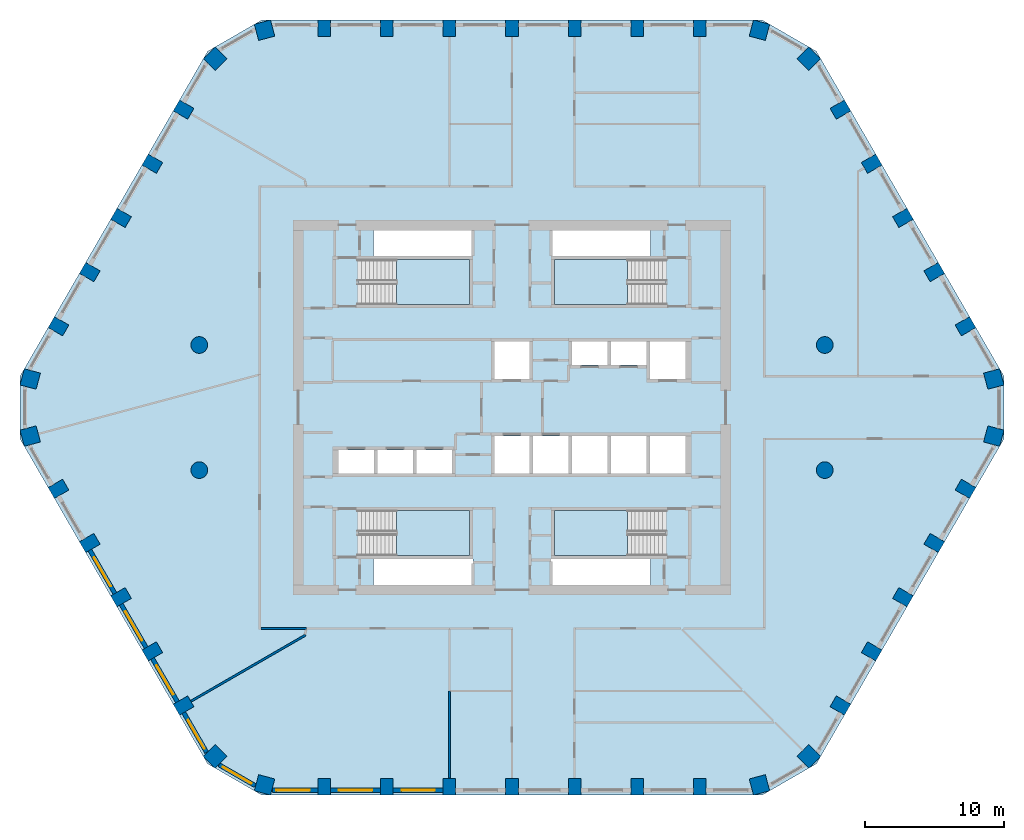
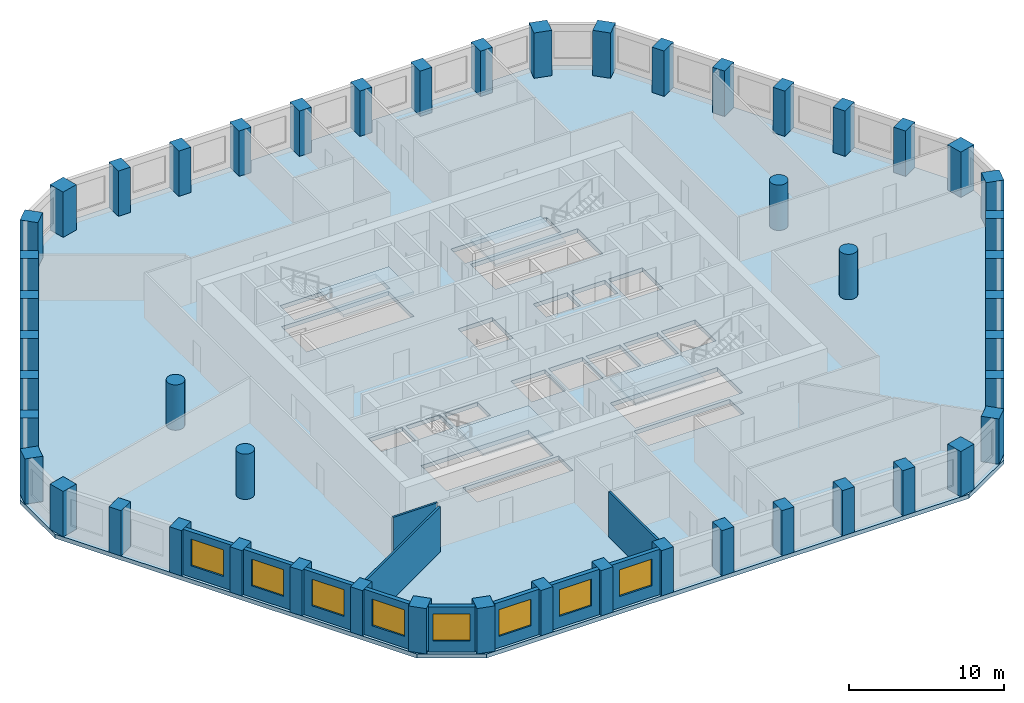
# One storey, part 1 of 9: 50 columns, 11 walls, 8 windows, 5 slabs, 8 openings, 4 elements without a shape of their own.
"""IFC4 building model written with IfcOpenShell, lengths in metres."""

from ifc_helpers import new_model, si_unit, direction, frame, frame_2d, origin, origin_2d, place, context, subcontext, project, spatial, polyline, rectangle, circle, outline, extrude, material, layer, layer_set, material_profile, profile_set, type_object, element, fill, aggregate, save


model = new_model("IFC4")

# Units and contexts
model_context = context("Model", 3, precision=1e-05, world=origin(), true_north=direction((0.0, 1.0)))
body_context = subcontext(model_context, "Body", "Model", "MODEL_VIEW")
ifc_project = project(units=[si_unit("LENGTHUNIT", "METRE"), si_unit("AREAUNIT", "SQUARE_METRE"), si_unit("VOLUMEUNIT", "CUBIC_METRE"), si_unit("PLANEANGLEUNIT", "RADIAN"), si_unit("MASSUNIT", "GRAM", prefix="KILO")], contexts=[model_context])

# Site, building, storey
site_placement = place(None, origin())
site = spatial("IfcSite", under=ifc_project, at=site_placement, CompositionType="ELEMENT")
building_placement = place(site_placement, origin())
building = spatial("IfcBuilding", under=site, at=building_placement, Name="Dhurran Vertical Campus", CompositionType="ELEMENT")
storey_placement = place(building_placement, frame((0.0, 0.0, 167.699951171875)))
storey = spatial("IfcBuildingStorey", under=building, at=storey_placement, Name="L41", CompositionType="ELEMENT", Elevation=167.699951171875)

# Columns
ifc_material_1 = material(Name="Concrete C60/75", Category="concrete")
ifc_material_profile_1 = material_profile(ifc_material_1, rectangle(XDim=1.199951171875, YDim=1.199951171875, at=origin_2d()), Name="RC 1200x1200")
ifc_profile_set_1 = profile_set([ifc_material_profile_1], Name="Concrete C60/75")
column_type_1 = type_object("IfcColumnType", Name="FR COL RC 1200x1200 C60/75", PredefinedType="COLUMN", material=ifc_profile_set_1)
for number, where, z_axis, x_axis, name in (
    (1, (-17.802978515625, -27.147705078125, 0.0), (0.0, 0.0, 1.0), (0.965925826289, -0.258819045103, 0.0), "Perimeter pier PP3.00"),
    (2, (17.802978515625, -27.147705078125, 0.0), (0.0, 0.0, 1.0), (0.965925826289, 0.258819045103, 0.0), "Perimeter pier PP3.08"),
    (3, (21.359130859375, -25.0947265625, 0.0), (0.0, 0.0, 1.0), (0.707106781187, 0.707106781187, 0.0), "Perimeter pier PP3.09"),
    (4, (34.662353515625, -2.052978515625, 0.0), (0.0, 0.0, 1.0), (0.258819045103, 0.965925826289, 0.0), "Perimeter pier PP3.15"),
    (5, (34.662353515625, 2.052978515625, 0.0), (0.0, 0.0, 1.0), (-0.258819045103, 0.965925826289, 0.0), "Perimeter pier PP3.16"),
    (6, (21.359130859375, 25.0947265625, 0.0), (0.0, 0.0, 1.0), (-0.707106781187, 0.707106781187, 0.0), "Perimeter pier PP3.22"),
    (7, (17.802978515625, 27.147705078125, 0.0), (0.0, 0.0, 1.0), (-0.965925826289, 0.258819045103, 0.0), "Perimeter pier PP3.23"),
    (8, (-17.802978515625, 27.147705078125, 0.0), (0.0, 0.0, 1.0), (-0.965925826289, -0.258819045103, 0.0), "Perimeter pier PP3.31"),
    (9, (-21.359130859375, 25.0947265625, 0.0), (0.0, 0.0, 1.0), (-0.707106781187, -0.707106781187, 0.0), "Perimeter pier PP3.32"),
    (10, (-34.662353515625, 2.052978515625, 0.0), (0.0, 0.0, 1.0), (-0.258819045103, -0.965925826289, 0.0), "Perimeter pier PP3.38"),
    (11, (-34.662353515625, -2.052978515625, 0.0), (0.0, 0.0, 1.0), (0.258819045103, -0.965925826289, 0.0), "Perimeter pier PP3.39"),
    (12, (-21.359130859375, -25.0947265625, 0.0), (0.0, 0.0, 1.0), (0.707106781187, -0.707106781187, 0.0), "Perimeter pier PP3.45"),
):
    element("IfcColumn", number, at=place(storey_placement, frame(where, z_axis=z_axis, x_axis=x_axis)), inside=storey, type_object=column_type_1, Name=name, PredefinedType="COLUMN", context=body_context, shape_type="SweptSolid", body=[
        extrude(rectangle(XDim=1.199951171875, YDim=1.199951171875, at=origin_2d()), origin(), (0.0, 0.0, 1.0), 3.574951171875),
    ])
ifc_material_2 = material(Name="Concrete C60/75", Category="concrete")
ifc_material_profile_2 = material_profile(ifc_material_2, rectangle(XDim=0.89990234375, YDim=1.199951171875, at=origin_2d()), Name="RC 900x1200")
ifc_profile_set_2 = profile_set([ifc_material_profile_2], Name="Concrete C60/75")
column_type_2 = type_object("IfcColumnType", Name="FR COL RC 900x1200 C60/75", PredefinedType="COLUMN", material=ifc_profile_set_2)
for number, where, z_axis, x_axis, name in (
    (13, (-13.5, -27.28271484375, 0.0), (0.0, 0.0, 1.0), (1.0, 0.0, 0.0), "Perimeter pier PP3.01"),
    (14, (-9.0, -27.28271484375, 0.0), (0.0, 0.0, 1.0), (1.0, 0.0, 0.0), "Perimeter pier PP3.02"),
    (15, (-4.5, -27.28271484375, 0.0), (0.0, 0.0, 1.0), (1.0, 0.0, 0.0), "Perimeter pier PP3.03"),
    (16, (0.0, -27.28271484375, 0.0), (0.0, 0.0, 1.0), (1.0, 0.0, 0.0), "Perimeter pier PP3.04"),
    (17, (4.5, -27.28271484375, 0.0), (0.0, 0.0, 1.0), (1.0, 0.0, 0.0), "Perimeter pier PP3.05"),
    (18, (9.0, -27.28271484375, 0.0), (0.0, 0.0, 1.0), (1.0, 0.0, 0.0), "Perimeter pier PP3.06"),
    (19, (13.5, -27.28271484375, 0.0), (0.0, 0.0, 1.0), (1.0, 0.0, 0.0), "Perimeter pier PP3.07"),
    (20, (23.62744140625, -21.435546875, 0.0), (0.0, 0.0, 1.0), (0.5, 0.866025403784, 0.0), "Perimeter pier PP3.10"),
    (21, (25.87744140625, -17.53857421875, 0.0), (0.0, 0.0, 1.0), (0.5, 0.866025403784, 0.0), "Perimeter pier PP3.11"),
    (22, (28.12744140625, -13.641357421875, 0.0), (0.0, 0.0, 1.0), (0.5, 0.866025403784, 0.0), "Perimeter pier PP3.12"),
    (23, (30.37744140625, -9.744140625, 0.0), (0.0, 0.0, 1.0), (0.5, 0.866025403784, 0.0), "Perimeter pier PP3.13"),
    (24, (32.62744140625, -5.84716796875, 0.0), (0.0, 0.0, 1.0), (0.5, 0.866025403784, 0.0), "Perimeter pier PP3.14"),
    (25, (32.62744140625, 5.84716796875, 0.0), (0.0, 0.0, 1.0), (-0.5, 0.866025403784, 0.0), "Perimeter pier PP3.17"),
    (26, (30.37744140625, 9.744140625, 0.0), (0.0, 0.0, 1.0), (-0.5, 0.866025403784, 0.0), "Perimeter pier PP3.18"),
    (27, (28.12744140625, 13.641357421875, 0.0), (0.0, 0.0, 1.0), (-0.5, 0.866025403784, 0.0), "Perimeter pier PP3.19"),
    (28, (25.87744140625, 17.53857421875, 0.0), (0.0, 0.0, 1.0), (-0.5, 0.866025403784, 0.0), "Perimeter pier PP3.20"),
    (29, (23.62744140625, 21.435546875, 0.0), (0.0, 0.0, 1.0), (-0.5, 0.866025403784, 0.0), "Perimeter pier PP3.21"),
    (30, (13.5, 27.28271484375, 0.0), (0.0, 0.0, 1.0), (-1.0, 0.0, 0.0), "Perimeter pier PP3.24"),
    (31, (9.0, 27.28271484375, 0.0), (0.0, 0.0, 1.0), (-1.0, 0.0, 0.0), "Perimeter pier PP3.25"),
    (32, (4.5, 27.28271484375, 0.0), (0.0, 0.0, 1.0), (-1.0, 0.0, 0.0), "Perimeter pier PP3.26"),
    (33, (0.0, 27.28271484375, 0.0), (0.0, 0.0, 1.0), (-1.0, 0.0, 0.0), "Perimeter pier PP3.27"),
    (34, (-4.5, 27.28271484375, 0.0), (0.0, 0.0, 1.0), (-1.0, 0.0, 0.0), "Perimeter pier PP3.28"),
    (35, (-9.0, 27.28271484375, 0.0), (0.0, 0.0, 1.0), (-1.0, 0.0, 0.0), "Perimeter pier PP3.29"),
    (36, (-13.5, 27.28271484375, 0.0), (0.0, 0.0, 1.0), (-1.0, 0.0, 0.0), "Perimeter pier PP3.30"),
    (37, (-23.62744140625, 21.435546875, 0.0), (0.0, 0.0, 1.0), (-0.5, -0.866025403784, 0.0), "Perimeter pier PP3.33"),
    (38, (-25.87744140625, 17.53857421875, 0.0), (0.0, 0.0, 1.0), (-0.5, -0.866025403784, 0.0), "Perimeter pier PP3.34"),
    (39, (-28.12744140625, 13.641357421875, 0.0), (0.0, 0.0, 1.0), (-0.5, -0.866025403784, 0.0), "Perimeter pier PP3.35"),
    (40, (-30.37744140625, 9.744140625, 0.0), (0.0, 0.0, 1.0), (-0.5, -0.866025403784, 0.0), "Perimeter pier PP3.36"),
    (41, (-32.62744140625, 5.84716796875, 0.0), (0.0, 0.0, 1.0), (-0.5, -0.866025403784, 0.0), "Perimeter pier PP3.37"),
    (42, (-32.62744140625, -5.84716796875, 0.0), (0.0, 0.0, 1.0), (0.5, -0.866025403784, 0.0), "Perimeter pier PP3.40"),
    (43, (-30.37744140625, -9.744140625, 0.0), (0.0, 0.0, 1.0), (0.5, -0.866025403784, 0.0), "Perimeter pier PP3.41"),
    (44, (-28.12744140625, -13.641357421875, 0.0), (0.0, 0.0, 1.0), (0.5, -0.866025403784, 0.0), "Perimeter pier PP3.42"),
    (45, (-25.87744140625, -17.53857421875, 0.0), (0.0, 0.0, 1.0), (0.5, -0.866025403784, 0.0), "Perimeter pier PP3.43"),
    (46, (-23.62744140625, -21.435546875, 0.0), (0.0, 0.0, 1.0), (0.5, -0.866025403784, 0.0), "Perimeter pier PP3.44"),
):
    element("IfcColumn", number, at=place(storey_placement, frame(where, z_axis=z_axis, x_axis=x_axis)), inside=storey, type_object=column_type_2, Name=name, PredefinedType="COLUMN", context=body_context, shape_type="SweptSolid", body=[
        extrude(rectangle(XDim=0.89990234375, YDim=1.199951171875, at=origin_2d()), origin(), (0.0, 0.0, 1.0), 3.574951171875),
    ])
ifc_material_3 = material(Name="Concrete C60/75", Category="concrete")
ifc_material_profile_3 = material_profile(ifc_material_3, circle(Radius=0.60009765625, at=origin_2d()), Name="RCC D1200")
ifc_profile_set_3 = profile_set([ifc_material_profile_3], Name="Concrete C60/75")
column_type_3 = type_object("IfcColumnType", Name="FR COL RCC D1200 C60/75", PredefinedType="COLUMN", material=ifc_profile_set_3)
for number, where, z_axis, x_axis, name in (
    (47, (-22.5, -4.5, 0.0), (0.0, 0.0, 1.0), (1.0, 0.0, 0.0), "Inner column IC3-D5"),
    (48, (-22.5, 4.5, 0.0), (0.0, 0.0, 1.0), (1.0, 0.0, 0.0), "Inner column IC3-D6"),
    (49, (22.5, -4.5, 0.0), (0.0, 0.0, 1.0), (1.0, 0.0, 0.0), "Inner column IC3-J5"),
    (50, (22.5, 4.5, 0.0), (0.0, 0.0, 1.0), (1.0, 0.0, 0.0), "Inner column IC3-J6"),
):
    element("IfcColumn", number, at=place(storey_placement, frame(where, z_axis=z_axis, x_axis=x_axis)), inside=storey, type_object=column_type_3, Name=name, PredefinedType="COLUMN", context=body_context, shape_type="SweptSolid", body=[
        extrude(circle(Radius=0.60009765625, at=origin_2d()), origin(), (0.0, 0.0, 1.0), 3.574951171875),
    ])

# Slab
ifc_material_4 = material(Name="Concrete C40/50", Category="concrete")
ifc_layer_1 = layer(ifc_material_4, 0.324951171875)
ifc_layer_set_1 = layer_set([ifc_layer_1], Name="Concrete C40/50")
slab_type_1 = type_object("IfcSlabType", Name="FR POST-TENSIONED FLAT SLAB 325", PredefinedType="FLOOR", material=ifc_layer_set_1)
slab_1_placement = place(storey_placement, frame((0.0, 0.0, -0.324951171875)))
element("IfcSlab", 51, at=slab_1_placement, inside=storey, type_object=slab_type_1, Name="Floor slab L41", PredefinedType="FLOOR", context=body_context, shape_type="SweptSolid", body=[
    extrude(outline(polyline([(-18.0, -27.8828125), (18.0, -27.8828125), (21.897216796875, -25.6328125), (35.397216796875, -2.25), (35.397216796875, 2.25), (21.897216796875, 25.6328125), (18.0, 27.8828125), (-18.0, 27.8828125), (-21.897216796875, 25.6328125), (-35.397216796875, 2.25), (-35.397216796875, -2.25), (-21.897216796875, -25.6328125), (-18.0, -27.8828125)]), holes=[polyline([(-1.27490234375, 2.050048828125), (1.27490234375, 2.050048828125), (1.27490234375, 4.75), (-1.27490234375, 4.75), (-1.27490234375, 2.050048828125)]), polyline([(9.925048828125, 2.050048828125), (12.47509765625, 2.050048828125), (12.47509765625, 4.75), (9.925048828125, 4.75), (9.925048828125, 2.050048828125)]), polyline([(-1.27490234375, -4.75), (1.27490234375, -4.75), (1.27490234375, -2.050048828125), (-1.27490234375, -2.050048828125), (-1.27490234375, -4.75)]), polyline([(1.52490234375, -4.75), (4.074951171875, -4.75), (4.074951171875, -2.050048828125), (1.52490234375, -2.050048828125), (1.52490234375, -4.75)]), polyline([(4.324951171875, -4.75), (6.875, -4.75), (6.875, -2.050048828125), (4.324951171875, -2.050048828125), (4.324951171875, -4.75)]), polyline([(7.125, -4.75), (9.675048828125, -4.75), (9.675048828125, -2.050048828125), (7.125, -2.050048828125), (7.125, -4.75)]), polyline([(9.925048828125, -4.75), (12.47509765625, -4.75), (12.47509765625, -2.050048828125), (9.925048828125, -2.050048828125), (9.925048828125, -4.75)]), polyline([(4.324951171875, 3.050048828125), (6.875, 3.050048828125), (6.875, 4.75), (4.324951171875, 4.75), (4.324951171875, 3.050048828125)]), polyline([(7.125, 3.050048828125), (9.675048828125, 3.050048828125), (9.675048828125, 4.75), (7.125, 4.75), (7.125, 3.050048828125)]), polyline([(-12.47509765625, -4.75), (-9.925048828125, -4.75), (-9.925048828125, -3.050048828125), (-12.47509765625, -3.050048828125), (-12.47509765625, -4.75)]), polyline([(-9.675048828125, -4.75), (-7.125, -4.75), (-7.125, -3.050048828125), (-9.675048828125, -3.050048828125), (-9.675048828125, -4.75)]), polyline([(-6.875, -4.75), (-4.324951171875, -4.75), (-4.324951171875, -3.050048828125), (-6.875, -3.050048828125), (-6.875, -4.75)]), polyline([(-11.050048828125, 7.39990234375), (-3.050048828125, 7.39990234375), (-3.050048828125, 10.64990234375), (-11.050048828125, 10.64990234375), (-11.050048828125, 7.39990234375)]), polyline([(3.050048828125, 7.39990234375), (11.050048828125, 7.39990234375), (11.050048828125, 10.64990234375), (3.050048828125, 10.64990234375), (3.050048828125, 7.39990234375)]), polyline([(-11.050048828125, -10.64990234375), (-3.050048828125, -10.64990234375), (-3.050048828125, -7.39990234375), (-11.050048828125, -7.39990234375), (-11.050048828125, -10.64990234375)]), polyline([(3.050048828125, -10.64990234375), (11.050048828125, -10.64990234375), (11.050048828125, -7.39990234375), (3.050048828125, -7.39990234375), (3.050048828125, -10.64990234375)]), polyline([(-9.949951171875, 10.89990234375), (-9.949951171875, 12.75), (-2.800048828125, 12.75), (-2.800048828125, 10.89990234375), (-9.949951171875, 10.89990234375)]), polyline([(9.949951171875, 12.75), (9.949951171875, 10.89990234375), (2.800048828125, 10.89990234375), (2.800048828125, 12.75), (9.949951171875, 12.75)]), polyline([(-9.949951171875, -12.75), (-9.949951171875, -10.89990234375), (-2.800048828125, -10.89990234375), (-2.800048828125, -12.75), (-9.949951171875, -12.75)]), polyline([(9.949951171875, -10.89990234375), (9.949951171875, -12.75), (2.800048828125, -12.75), (2.800048828125, -10.89990234375), (9.949951171875, -10.89990234375)])]), origin(), (0.0, 0.0, 1.0), 0.324951171875),
])

# Stair, slab
ifc_material_5 = material(Name="Concrete C40/50", Category="concrete")
stair_type = type_object("IfcStairType", Name="co-ST-CORE", PredefinedType="HALF_TURN_STAIR", material=ifc_material_5)
stair_1_placement = place(storey_placement, origin())
stair_1 = element("IfcStair", 52, at=stair_1_placement, inside=storey, type_object=stair_type, Name="L41 Protected exit stair ST1", PredefinedType="HALF_TURN_STAIR")
ifc_material_6 = material(Name="Concrete C40/50", Category="concrete")
ifc_layer_2 = layer(ifc_material_6, 0.199951171875)
ifc_layer_set_2 = layer_set([ifc_layer_2], Name="Concrete C40/50")
slab_type_2 = type_object("IfcSlabType", Name="co-SL-LANDING", PredefinedType="LANDING", material=ifc_layer_set_2)
slab_2_placement = place(storey_placement, frame((0.0, 0.0, 1.75)))
slab_2 = element("IfcSlab", 53, at=slab_2_placement, type_object=slab_type_2, Name="ST1 landing 1", PredefinedType="LANDING", context=body_context, shape_type="SweptSolid", body=[
    extrude(outline(polyline([(-8.300048828125, 7.39990234375), (-3.050048828125, 7.39990234375), (-3.050048828125, 10.64990234375), (-8.300048828125, 10.64990234375), (-8.300048828125, 7.39990234375)])), origin(), (0.0, 0.0, 1.0), 0.199951171875),
])
aggregate(stair_1, [slab_2])

stair_2_placement = place(storey_placement, origin())
stair_2 = element("IfcStair", 54, at=stair_2_placement, inside=storey, type_object=stair_type, Name="L41 Protected exit stair ST2", PredefinedType="HALF_TURN_STAIR")
slab_3_placement = place(storey_placement, frame((0.0, 0.0, 1.75)))
slab_3 = element("IfcSlab", 55, at=slab_3_placement, type_object=slab_type_2, Name="ST2 landing 1", PredefinedType="LANDING", context=body_context, shape_type="SweptSolid", body=[
    extrude(outline(polyline([(8.300048828125, 10.64990234375), (3.050048828125, 10.64990234375), (3.050048828125, 7.39990234375), (8.300048828125, 7.39990234375), (8.300048828125, 10.64990234375)])), origin(), (0.0, 0.0, 1.0), 0.199951171875),
])
aggregate(stair_2, [slab_3])

stair_3_placement = place(storey_placement, origin())
stair_3 = element("IfcStair", 56, at=stair_3_placement, inside=storey, type_object=stair_type, Name="L41 Protected exit stair ST3", PredefinedType="HALF_TURN_STAIR")
slab_4_placement = place(storey_placement, frame((0.0, 0.0, 1.75)))
slab_4 = element("IfcSlab", 57, at=slab_4_placement, type_object=slab_type_2, Name="ST3 landing 1", PredefinedType="LANDING", context=body_context, shape_type="SweptSolid", body=[
    extrude(outline(polyline([(-8.300048828125, -10.64990234375), (-3.050048828125, -10.64990234375), (-3.050048828125, -7.39990234375), (-8.300048828125, -7.39990234375), (-8.300048828125, -10.64990234375)])), origin(), (0.0, 0.0, 1.0), 0.199951171875),
])
aggregate(stair_3, [slab_4])

stair_4_placement = place(storey_placement, origin())
stair_4 = element("IfcStair", 58, at=stair_4_placement, inside=storey, type_object=stair_type, Name="L41 Protected exit stair ST4", PredefinedType="HALF_TURN_STAIR")
slab_5_placement = place(storey_placement, frame((0.0, 0.0, 1.75)))
slab_5 = element("IfcSlab", 59, at=slab_5_placement, type_object=slab_type_2, Name="ST4 landing 1", PredefinedType="LANDING", context=body_context, shape_type="SweptSolid", body=[
    extrude(outline(polyline([(8.300048828125, -7.39990234375), (3.050048828125, -7.39990234375), (3.050048828125, -10.64990234375), (8.300048828125, -10.64990234375), (8.300048828125, -7.39990234375)])), origin(), (0.0, 0.0, 1.0), 0.199951171875),
])
aggregate(stair_4, [slab_5])

# Wall, opening, window
ifc_material_7 = material(Name="Precast concrete C50/60", Category="concrete")
ifc_layer_3 = layer(ifc_material_7, 0.300048828125)
ifc_layer_set_3 = layer_set([ifc_layer_3], Name="Precast concrete C50/60")
wall_type_1 = type_object("IfcWallType", Name="Precast spandrel wall 300", PredefinedType="SOLIDWALL", material=ifc_layer_set_3)
wall_1_placement = place(storey_placement, frame((-17.24462890625, -27.53271484375, 0.0), z_axis=(0.0, 0.0, 1.0), x_axis=(1.0, 0.0, 0.0)))
wall_1 = element("IfcWall", 60, at=wall_1_placement, inside=storey, type_object=wall_type_1, Name="EW1 L41.00", PredefinedType="SOLIDWALL", context=body_context, shape_type="SweptSolid", body=[
    extrude(rectangle(XDim=3.294189453125, YDim=0.300048828125, at=frame_2d((1.64697265625, 0.0))), origin(), (0.0, 0.0, 1.0), 3.574951171875),
])
opening_1_placement = place(wall_1_placement, frame((0.294677734375, 0.0, 0.89990234375)))
opening_1 = element("IfcOpeningElement", 61, at=opening_1_placement, cuts=wall_1, Name="Opening WT1", PredefinedType="OPENING", context=body_context, shape_type="SweptSolid", body=[
    extrude(rectangle(XDim=2.39990234375, YDim=2.10009765625, at=frame_2d((1.199951171875, 1.050048828125))), frame((0.0, 0.159912109375, 0.0), z_axis=(0.0, -1.0, 0.0), x_axis=(1.0, 0.0, 0.0)), (0.0, 0.0, 1.0), 0.320068359375),
])
ifc_material_8 = material(Name="Aluminium frame with solar-control glass", Category="aluminium")
window_type = type_object("IfcWindowType", Name="Punched window 2400 x 2100", PartitioningType="SINGLE_PANEL", PredefinedType="WINDOW", material=ifc_material_8)
window_1_placement = place(opening_1_placement, origin())
window_1 = element("IfcWindow", 62, at=window_1_placement, inside=storey, type_object=window_type, Name="WT1 L41.00", OverallHeight=2.10009765625, OverallWidth=2.39990234375, PartitioningType="SINGLE_PANEL", PredefinedType="WINDOW", context=body_context, shape_type="SweptSolid", body=[
    extrude(rectangle(XDim=2.39990234375, YDim=2.10009765625, at=frame_2d((1.199951171875, 1.050048828125))), frame((0.0, 0.030029296875, 0.0), z_axis=(0.0, -1.0, 0.0), x_axis=(1.0, 0.0, 0.0)), (0.0, 0.0, 1.0), 0.06005859375),
])
fill(opening_1, window_1)

wall_2_placement = place(storey_placement, frame((-13.049560546875, -27.53271484375, 0.0), z_axis=(0.0, 0.0, 1.0), x_axis=(1.0, 0.0, 0.0)))
wall_2 = element("IfcWall", 63, at=wall_2_placement, inside=storey, type_object=wall_type_1, Name="EW1 L41.01", PredefinedType="SOLIDWALL", context=body_context, shape_type="SweptSolid", body=[
    extrude(rectangle(XDim=3.59912109375, YDim=0.300048828125, at=frame_2d((1.799560546875, 0.0))), origin(), (0.0, 0.0, 1.0), 3.574951171875),
])
opening_2_placement = place(wall_2_placement, frame((0.599609375, 0.0, 0.89990234375)))
opening_2 = element("IfcOpeningElement", 64, at=opening_2_placement, cuts=wall_2, Name="Opening WT1", PredefinedType="OPENING", context=body_context, shape_type="SweptSolid", body=[
    extrude(rectangle(XDim=2.39990234375, YDim=2.10009765625, at=frame_2d((1.199951171875, 1.050048828125))), frame((0.0, 0.159912109375, 0.0), z_axis=(0.0, -1.0, 0.0), x_axis=(1.0, 0.0, 0.0)), (0.0, 0.0, 1.0), 0.320068359375),
])
window_2_placement = place(opening_2_placement, origin())
window_2 = element("IfcWindow", 65, at=window_2_placement, inside=storey, type_object=window_type, Name="WT1 L41.01", OverallHeight=2.10009765625, OverallWidth=2.39990234375, PartitioningType="SINGLE_PANEL", PredefinedType="WINDOW", context=body_context, shape_type="SweptSolid", body=[
    extrude(rectangle(XDim=2.39990234375, YDim=2.10009765625, at=frame_2d((1.199951171875, 1.050048828125))), frame((0.0, 0.030029296875, 0.0), z_axis=(0.0, -1.0, 0.0), x_axis=(1.0, 0.0, 0.0)), (0.0, 0.0, 1.0), 0.06005859375),
])
fill(opening_2, window_2)

wall_3_placement = place(storey_placement, frame((-8.549560546875, -27.53271484375, 0.0), z_axis=(0.0, 0.0, 1.0), x_axis=(1.0, 0.0, 0.0)))
wall_3 = element("IfcWall", 66, at=wall_3_placement, inside=storey, type_object=wall_type_1, Name="EW1 L41.02", PredefinedType="SOLIDWALL", context=body_context, shape_type="SweptSolid", body=[
    extrude(rectangle(XDim=3.59912109375, YDim=0.300048828125, at=frame_2d((1.799560546875, 0.0))), origin(), (0.0, 0.0, 1.0), 3.574951171875),
])
opening_3_placement = place(wall_3_placement, frame((0.599609375, 0.0, 0.89990234375)))
opening_3 = element("IfcOpeningElement", 67, at=opening_3_placement, cuts=wall_3, Name="Opening WT1", PredefinedType="OPENING", context=body_context, shape_type="SweptSolid", body=[
    extrude(rectangle(XDim=2.39990234375, YDim=2.10009765625, at=frame_2d((1.199951171875, 1.050048828125))), frame((0.0, 0.159912109375, 0.0), z_axis=(0.0, -1.0, 0.0), x_axis=(1.0, 0.0, 0.0)), (0.0, 0.0, 1.0), 0.320068359375),
])
window_3_placement = place(opening_3_placement, origin())
window_3 = element("IfcWindow", 68, at=window_3_placement, inside=storey, type_object=window_type, Name="WT1 L41.02", OverallHeight=2.10009765625, OverallWidth=2.39990234375, PartitioningType="SINGLE_PANEL", PredefinedType="WINDOW", context=body_context, shape_type="SweptSolid", body=[
    extrude(rectangle(XDim=2.39990234375, YDim=2.10009765625, at=frame_2d((1.199951171875, 1.050048828125))), frame((0.0, 0.030029296875, 0.0), z_axis=(0.0, -1.0, 0.0), x_axis=(1.0, 0.0, 0.0)), (0.0, 0.0, 1.0), 0.06005859375),
])
fill(opening_3, window_3)

wall_4_placement = place(storey_placement, frame((-30.368896484375, -10.259521484375, 0.0), z_axis=(0.0, 0.0, 1.0), x_axis=(0.500027802648, -0.866009351323, 0.0)))
wall_4 = element("IfcWall", 69, at=wall_4_placement, inside=storey, type_object=wall_type_1, Name="EW1 L41.41", PredefinedType="SOLIDWALL", context=body_context, shape_type="SweptSolid", body=[
    extrude(rectangle(XDim=3.598876953125, YDim=0.300048828125, at=frame_2d((1.79931640625, 0.0))), origin(), (0.0, 0.0, 1.0), 3.574951171875),
])
opening_4_placement = place(wall_4_placement, frame((0.599609375, 0.0, 0.89990234375)))
opening_4 = element("IfcOpeningElement", 70, at=opening_4_placement, cuts=wall_4, Name="Opening WT1", PredefinedType="OPENING", context=body_context, shape_type="SweptSolid", body=[
    extrude(rectangle(XDim=2.39990234375, YDim=2.10009765625, at=frame_2d((1.199951171875, 1.050048828125))), frame((0.0, 0.159912109375, 0.0), z_axis=(0.0, -1.0, 0.0), x_axis=(1.0, 0.0, 0.0)), (0.0, 0.0, 1.0), 0.320068359375),
])
window_4_placement = place(opening_4_placement, origin())
window_4 = element("IfcWindow", 71, at=window_4_placement, inside=storey, type_object=window_type, Name="WT1 L41.41", OverallHeight=2.10009765625, OverallWidth=2.39990234375, PartitioningType="SINGLE_PANEL", PredefinedType="WINDOW", context=body_context, shape_type="SweptSolid", body=[
    extrude(rectangle(XDim=2.39990234375, YDim=2.10009765625, at=frame_2d((1.199951171875, 1.050048828125))), frame((0.0, 0.030029296875, 0.0), z_axis=(0.0, -1.0, 0.0), x_axis=(1.0, 0.0, 0.0)), (0.0, 0.0, 1.0), 0.06005859375),
])
fill(opening_4, window_4)

wall_5_placement = place(storey_placement, frame((-28.118896484375, -14.156494140625, 0.0), z_axis=(0.0, 0.0, 1.0), x_axis=(0.500027802648, -0.866009351323, 0.0)))
wall_5 = element("IfcWall", 72, at=wall_5_placement, inside=storey, type_object=wall_type_1, Name="EW1 L41.42", PredefinedType="SOLIDWALL", context=body_context, shape_type="SweptSolid", body=[
    extrude(rectangle(XDim=3.598876953125, YDim=0.300048828125, at=frame_2d((1.79931640625, 0.0))), origin(), (0.0, 0.0, 1.0), 3.574951171875),
])
opening_5_placement = place(wall_5_placement, frame((0.599609375, 0.0, 0.89990234375)))
opening_5 = element("IfcOpeningElement", 73, at=opening_5_placement, cuts=wall_5, Name="Opening WT1", PredefinedType="OPENING", context=body_context, shape_type="SweptSolid", body=[
    extrude(rectangle(XDim=2.39990234375, YDim=2.10009765625, at=frame_2d((1.199951171875, 1.050048828125))), frame((0.0, 0.159912109375, 0.0), z_axis=(0.0, -1.0, 0.0), x_axis=(1.0, 0.0, 0.0)), (0.0, 0.0, 1.0), 0.320068359375),
])
window_5_placement = place(opening_5_placement, origin())
window_5 = element("IfcWindow", 74, at=window_5_placement, inside=storey, type_object=window_type, Name="WT1 L41.42", OverallHeight=2.10009765625, OverallWidth=2.39990234375, PartitioningType="SINGLE_PANEL", PredefinedType="WINDOW", context=body_context, shape_type="SweptSolid", body=[
    extrude(rectangle(XDim=2.39990234375, YDim=2.10009765625, at=frame_2d((1.199951171875, 1.050048828125))), frame((0.0, 0.030029296875, 0.0), z_axis=(0.0, -1.0, 0.0), x_axis=(1.0, 0.0, 0.0)), (0.0, 0.0, 1.0), 0.06005859375),
])
fill(opening_5, window_5)

wall_6_placement = place(storey_placement, frame((-25.868896484375, -18.0537109375, 0.0), z_axis=(0.0, 0.0, 1.0), x_axis=(0.500027802648, -0.866009351323, 0.0)))
wall_6 = element("IfcWall", 75, at=wall_6_placement, inside=storey, type_object=wall_type_1, Name="EW1 L41.43", PredefinedType="SOLIDWALL", context=body_context, shape_type="SweptSolid", body=[
    extrude(rectangle(XDim=3.598876953125, YDim=0.300048828125, at=frame_2d((1.79931640625, 0.0))), origin(), (0.0, 0.0, 1.0), 3.574951171875),
])
opening_6_placement = place(wall_6_placement, frame((0.599609375, 0.0, 0.89990234375)))
opening_6 = element("IfcOpeningElement", 76, at=opening_6_placement, cuts=wall_6, Name="Opening WT1", PredefinedType="OPENING", context=body_context, shape_type="SweptSolid", body=[
    extrude(rectangle(XDim=2.39990234375, YDim=2.10009765625, at=frame_2d((1.199951171875, 1.050048828125))), frame((0.0, 0.159912109375, 0.0), z_axis=(0.0, -1.0, 0.0), x_axis=(1.0, 0.0, 0.0)), (0.0, 0.0, 1.0), 0.320068359375),
])
window_6_placement = place(opening_6_placement, origin())
window_6 = element("IfcWindow", 77, at=window_6_placement, inside=storey, type_object=window_type, Name="WT1 L41.43", OverallHeight=2.10009765625, OverallWidth=2.39990234375, PartitioningType="SINGLE_PANEL", PredefinedType="WINDOW", context=body_context, shape_type="SweptSolid", body=[
    extrude(rectangle(XDim=2.39990234375, YDim=2.10009765625, at=frame_2d((1.199951171875, 1.050048828125))), frame((0.0, 0.030029296875, 0.0), z_axis=(0.0, -1.0, 0.0), x_axis=(1.0, 0.0, 0.0)), (0.0, 0.0, 1.0), 0.06005859375),
])
fill(opening_6, window_6)

wall_7_placement = place(storey_placement, frame((-23.618896484375, -21.95068359375, 0.0), z_axis=(0.0, 0.0, 1.0), x_axis=(0.500036802197, -0.866004154983, 0.0)))
wall_7 = element("IfcWall", 78, at=wall_7_placement, inside=storey, type_object=wall_type_1, Name="EW1 L41.44", PredefinedType="SOLIDWALL", context=body_context, shape_type="SweptSolid", body=[
    extrude(rectangle(XDim=3.294189453125, YDim=0.300048828125, at=frame_2d((1.64697265625, 0.0))), origin(), (0.0, 0.0, 1.0), 3.574951171875),
])
opening_7_placement = place(wall_7_placement, frame((0.599609375, 0.0, 0.89990234375)))
opening_7 = element("IfcOpeningElement", 79, at=opening_7_placement, cuts=wall_7, Name="Opening WT1", PredefinedType="OPENING", context=body_context, shape_type="SweptSolid", body=[
    extrude(rectangle(XDim=2.39990234375, YDim=2.10009765625, at=frame_2d((1.199951171875, 1.050048828125))), frame((0.0, 0.159912109375, 0.0), z_axis=(0.0, -1.0, 0.0), x_axis=(1.0, 0.0, 0.0)), (0.0, 0.0, 1.0), 0.320068359375),
])
window_7_placement = place(opening_7_placement, origin())
window_7 = element("IfcWindow", 80, at=window_7_placement, inside=storey, type_object=window_type, Name="WT1 L41.44", OverallHeight=2.10009765625, OverallWidth=2.39990234375, PartitioningType="SINGLE_PANEL", PredefinedType="WINDOW", context=body_context, shape_type="SweptSolid", body=[
    extrude(rectangle(XDim=2.39990234375, YDim=2.10009765625, at=frame_2d((1.199951171875, 1.050048828125))), frame((0.0, 0.030029296875, 0.0), z_axis=(0.0, -1.0, 0.0), x_axis=(1.0, 0.0, 0.0)), (0.0, 0.0, 1.0), 0.06005859375),
])
fill(opening_7, window_7)

wall_8_placement = place(storey_placement, frame((-21.06787109375, -25.707275390625, 0.0), z_axis=(0.0, 0.0, 1.0), x_axis=(0.866012844897, -0.500021752, 0.0)))
wall_8 = element("IfcWall", 81, at=wall_8_placement, inside=storey, type_object=wall_type_1, Name="EW1 L41.45", PredefinedType="SOLIDWALL", context=body_context, shape_type="SweptSolid", body=[
    extrude(rectangle(XDim=2.989013671875, YDim=0.300048828125, at=frame_2d((1.49462890625, 0.0))), origin(), (0.0, 0.0, 1.0), 3.574951171875),
])
opening_8_placement = place(wall_8_placement, frame((0.294677734375, 0.0, 0.89990234375)))
opening_8 = element("IfcOpeningElement", 82, at=opening_8_placement, cuts=wall_8, Name="Opening WT1", PredefinedType="OPENING", context=body_context, shape_type="SweptSolid", body=[
    extrude(rectangle(XDim=2.39990234375, YDim=2.10009765625, at=frame_2d((1.199951171875, 1.050048828125))), frame((0.0, 0.159912109375, 0.0), z_axis=(0.0, -1.0, 0.0), x_axis=(1.0, 0.0, 0.0)), (0.0, 0.0, 1.0), 0.320068359375),
])
window_8_placement = place(opening_8_placement, origin())
window_8 = element("IfcWindow", 83, at=window_8_placement, inside=storey, type_object=window_type, Name="WT1 L41.45", OverallHeight=2.10009765625, OverallWidth=2.39990234375, PartitioningType="SINGLE_PANEL", PredefinedType="WINDOW", context=body_context, shape_type="SweptSolid", body=[
    extrude(rectangle(XDim=2.39990234375, YDim=2.10009765625, at=frame_2d((1.199951171875, 1.050048828125))), frame((0.0, 0.030029296875, 0.0), z_axis=(0.0, -1.0, 0.0), x_axis=(1.0, 0.0, 0.0)), (0.0, 0.0, 1.0), 0.06005859375),
])
fill(opening_8, window_8)

# Walls
ifc_material_9 = material(Name="Gypsum board corridor wall on steel studs", Category="steel")
ifc_layer_4 = layer(ifc_material_9, 0.14990234375)
ifc_layer_set_4 = layer_set([ifc_layer_4], Name="Gypsum board corridor wall on steel studs")
wall_type_2 = type_object("IfcWallType", Name="fl-CW-150 corridor wall", PredefinedType="PARTITIONING", material=ifc_layer_set_4)
wall_9_placement = place(storey_placement, frame((-18.074951171875, -15.89990234375, 0.0), z_axis=(0.0, 0.0, 1.0), x_axis=(1.0, 0.0, 0.0)))
element("IfcWall", 84, at=wall_9_placement, inside=storey, type_object=wall_type_2, Name="Partition 41-05", PredefinedType="PARTITIONING", context=body_context, shape_type="SweptSolid", body=[
    extrude(rectangle(XDim=3.285888671875, YDim=0.14990234375, at=frame_2d((1.64306640625, 0.0))), origin(), (0.0, 0.0, 1.0), 3.574951171875),
])
ifc_material_10 = material(Name="Gypsum board partition on steel studs", Category="steel")
ifc_layer_5 = layer(ifc_material_10, 0.14990234375)
ifc_layer_set_5 = layer_set([ifc_layer_5], Name="Gypsum board partition on steel studs")
wall_type_3 = type_object("IfcWallType", Name="fl-PW-150 fixed partition", PredefinedType="PARTITIONING", material=ifc_layer_set_5)
wall_10_placement = place(storey_placement, frame((-14.861083984375, -16.37451171875, 0.0), z_axis=(0.0, 0.0, 1.0), x_axis=(-0.866011447264, -0.500024172624, 0.0)))
element("IfcWall", 85, at=wall_10_placement, inside=storey, type_object=wall_type_3, Name="Partition 41-02", PredefinedType="PARTITIONING", context=body_context, shape_type="SweptSolid", body=[
    extrude(rectangle(XDim=9.50244140625, YDim=0.14990234375, at=frame_2d((4.751220703125, 0.0))), origin(), (0.0, 0.0, 1.0), 3.574951171875),
])
wall_11_placement = place(storey_placement, frame((-4.5, -20.39990234375, 0.0), z_axis=(0.0, 0.0, 1.0), x_axis=(0.0, -1.0, 0.0)))
element("IfcWall", 86, at=wall_11_placement, inside=storey, type_object=wall_type_3, Name="Partition 41-12", PredefinedType="PARTITIONING", context=body_context, shape_type="SweptSolid", body=[
    extrude(rectangle(XDim=6.2626953125, YDim=0.14990234375, at=frame_2d((3.13134765625, 0.0))), origin(), (0.0, 0.0, 1.0), 3.574951171875),
])

save(model, "model.ifc")
